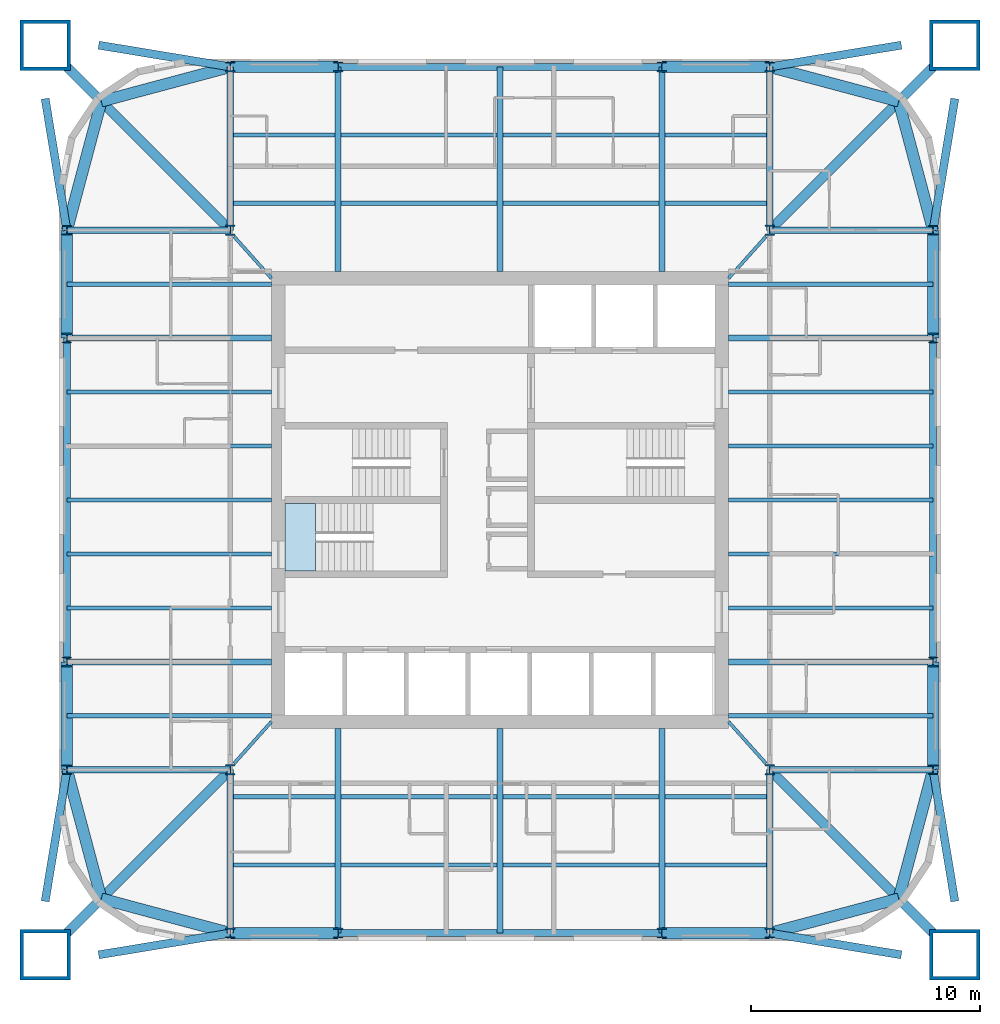
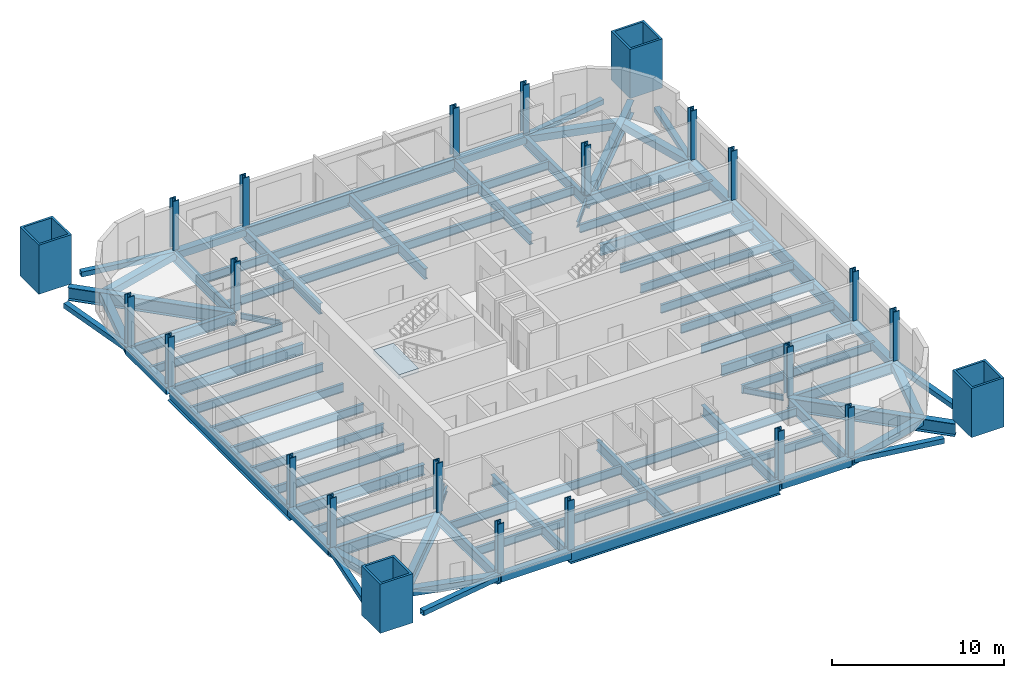
# One storey, part 1 of 8: 84 beams, 24 columns, 1 slab, 1 element without a shape of its own.
"""IFC4 building model written with IfcOpenShell, lengths in metres."""

from ifc_helpers import new_model, si_unit, direction, frame, origin, origin_2d, place, context, subcontext, project, spatial, polyline, hollow_rectangle, i_section, outline, extrude, material, layer, layer_set, material_profile, profile_set, type_object, element, aggregate, save


model = new_model("IFC4")

# Units and contexts
model_context = context("Model", 3, precision=1e-05, world=origin(), true_north=direction((0.0, 1.0)))
body_context = subcontext(model_context, "Body", "Model", "MODEL_VIEW")
ifc_project = project(units=[si_unit("LENGTHUNIT", "METRE"), si_unit("AREAUNIT", "SQUARE_METRE"), si_unit("VOLUMEUNIT", "CUBIC_METRE"), si_unit("PLANEANGLEUNIT", "RADIAN"), si_unit("MASSUNIT", "GRAM", prefix="KILO")], contexts=[model_context])

# Site, building, storey
site_placement = place(None, origin())
site = spatial("IfcSite", under=ifc_project, at=site_placement, CompositionType="ELEMENT")
building_placement = place(site_placement, origin())
building = spatial("IfcBuilding", under=site, at=building_placement, Name="Turquesa Mirador Hotel Tower", CompositionType="ELEMENT")
storey_placement = place(building_placement, frame((0.0, 0.0, 165.300048828125)))
storey = spatial("IfcBuildingStorey", under=building, at=storey_placement, Name="L44", CompositionType="ELEMENT", Elevation=165.300048828125)

# Columns
ifc_material_1 = material(Name="Steel ASTM A992 Grade 50", Category="steel")
ifc_material_profile_1 = material_profile(ifc_material_1, i_section(OverallWidth=0.411376953125, OverallDepth=0.434326171875, WebThickness=0.035888671875, FlangeThickness=0.057373046875, at=origin_2d()), Name="W14X311")
ifc_profile_set_1 = profile_set([ifc_material_profile_1], Name="Steel ASTM A992 Grade 50")
column_type_1 = type_object("IfcColumnType", Name="COLUMN W14X311", PredefinedType="COLUMN", material=ifc_profile_set_1)
for number, where, z_axis, x_axis, name in (
    (1, (36.050048828125, 33.199951171875, 0.0), (0.0, 0.0, 1.0), (1.0, 0.0, 0.0), "COL-L44-P--18.95--11.80"),
    (2, (36.050048828125, 37.919921875, 0.0), (0.0, 0.0, 1.0), (1.0, 0.0, 0.0), "COL-L44-P--18.95--7.08"),
    (3, (36.050048828125, 52.080078125, 0.0), (0.0, 0.0, 1.0), (1.0, 0.0, 0.0), "COL-L44-P--18.95-+7.08"),
    (4, (36.050048828125, 56.800048828125, 0.0), (0.0, 0.0, 1.0), (1.0, 0.0, 0.0), "COL-L44-P--18.95-+11.80"),
    (5, (43.199951171875, 26.050048828125, 0.0), (0.0, 0.0, 1.0), (1.0, 0.0, 0.0), "COL-L44-P--11.80--18.95"),
    (6, (43.199951171875, 63.949951171875, 0.0), (0.0, 0.0, 1.0), (1.0, 0.0, 0.0), "COL-L44-P--11.80-+18.95"),
    (7, (47.919921875, 26.050048828125, 0.0), (0.0, 0.0, 1.0), (1.0, 0.0, 0.0), "COL-L44-P--7.08--18.95"),
    (8, (47.919921875, 63.949951171875, 0.0), (0.0, 0.0, 1.0), (1.0, 0.0, 0.0), "COL-L44-P--7.08-+18.95"),
    (9, (62.080078125, 26.050048828125, 0.0), (0.0, 0.0, 1.0), (1.0, 0.0, 0.0), "COL-L44-P-+7.08--18.95"),
    (10, (62.080078125, 63.949951171875, 0.0), (0.0, 0.0, 1.0), (1.0, 0.0, 0.0), "COL-L44-P-+7.08-+18.95"),
    (11, (66.800048828125, 26.050048828125, 0.0), (0.0, 0.0, 1.0), (1.0, 0.0, 0.0), "COL-L44-P-+11.80--18.95"),
    (12, (66.800048828125, 63.949951171875, 0.0), (0.0, 0.0, 1.0), (1.0, 0.0, 0.0), "COL-L44-P-+11.80-+18.95"),
    (13, (73.949951171875, 33.199951171875, 0.0), (0.0, 0.0, 1.0), (1.0, 0.0, 0.0), "COL-L44-P-+18.95--11.80"),
    (14, (73.949951171875, 37.919921875, 0.0), (0.0, 0.0, 1.0), (1.0, 0.0, 0.0), "COL-L44-P-+18.95--7.08"),
    (15, (73.949951171875, 52.080078125, 0.0), (0.0, 0.0, 1.0), (1.0, 0.0, 0.0), "COL-L44-P-+18.95-+7.08"),
    (16, (73.949951171875, 56.800048828125, 0.0), (0.0, 0.0, 1.0), (1.0, 0.0, 0.0), "COL-L44-P-+18.95-+11.80"),
):
    element("IfcColumn", number, at=place(storey_placement, frame(where, z_axis=z_axis, x_axis=x_axis)), inside=storey, type_object=column_type_1, Name=name, PredefinedType="COLUMN", context=body_context, shape_type="SweptSolid", body=[
        extrude(i_section(OverallWidth=0.411376953125, OverallDepth=0.434326171875, WebThickness=0.035888671875, FlangeThickness=0.057373046875, at=origin_2d()), origin(), (0.0, 0.0, 1.0), 3.5),
    ])
ifc_material_2 = material(Name="Steel ASTM A992 Grade 50", Category="steel")
ifc_material_profile_2 = material_profile(ifc_material_2, i_section(OverallWidth=0.421630859375, OverallDepth=0.46484375, WebThickness=0.044921875, FlangeThickness=0.072509765625, at=origin_2d()), Name="W14X398")
ifc_profile_set_2 = profile_set([ifc_material_profile_2], Name="Steel ASTM A992 Grade 50")
column_type_2 = type_object("IfcColumnType", Name="COLUMN W14X398", PredefinedType="COLUMN", material=ifc_profile_set_2)
for number, where, z_axis, x_axis, name in (
    (17, (43.199951171875, 33.199951171875, 0.0), (0.0, 0.0, 1.0), (1.0, 0.0, 0.0), "COL-L44-K--11.80--11.80"),
    (18, (43.199951171875, 56.800048828125, 0.0), (0.0, 0.0, 1.0), (1.0, 0.0, 0.0), "COL-L44-K--11.80-+11.80"),
    (19, (66.800048828125, 33.199951171875, 0.0), (0.0, 0.0, 1.0), (1.0, 0.0, 0.0), "COL-L44-K-+11.80--11.80"),
    (20, (66.800048828125, 56.800048828125, 0.0), (0.0, 0.0, 1.0), (1.0, 0.0, 0.0), "COL-L44-K-+11.80-+11.80"),
):
    element("IfcColumn", number, at=place(storey_placement, frame(where, z_axis=z_axis, x_axis=x_axis)), inside=storey, type_object=column_type_2, Name=name, PredefinedType="COLUMN", context=body_context, shape_type="SweptSolid", body=[
        extrude(i_section(OverallWidth=0.421630859375, OverallDepth=0.46484375, WebThickness=0.044921875, FlangeThickness=0.072509765625, at=origin_2d()), origin(), (0.0, 0.0, 1.0), 3.5),
    ])
ifc_material_3 = material(Name="Steel ASTM A514 Grade Q", Category="steel")
ifc_material_profile_3 = material_profile(ifc_material_3, hollow_rectangle(XDim=2.199951171875, YDim=2.199951171875, WallThickness=0.14990234375, at=origin_2d()), Name="BOX2200X2200X150")
ifc_profile_set_3 = profile_set([ifc_material_profile_3], Name="Steel ASTM A514 Grade Q")
column_type_3 = type_object("IfcColumnType", Name="MEGA COLUMN BOX2200X2200X150", PredefinedType="COLUMN", material=ifc_profile_set_3)
for number, where, z_axis, x_axis, name in (
    (21, (74.89990234375, 64.89990234375, 0.0), (0.0, 0.0, 1.0), (1.0, 0.0, 0.0), "Mega column M1"),
    (22, (35.10009765625, 64.89990234375, 0.0), (0.0, 0.0, 1.0), (1.0, 0.0, 0.0), "Mega column M2"),
    (23, (35.10009765625, 25.10009765625, 0.0), (0.0, 0.0, 1.0), (1.0, 0.0, 0.0), "Mega column M3"),
    (24, (74.89990234375, 25.10009765625, 0.0), (0.0, 0.0, 1.0), (1.0, 0.0, 0.0), "Mega column M4"),
):
    element("IfcColumn", number, at=place(storey_placement, frame(where, z_axis=z_axis, x_axis=x_axis)), inside=storey, type_object=column_type_3, Name=name, PredefinedType="COLUMN", context=body_context, shape_type="SweptSolid", body=[
        extrude(hollow_rectangle(XDim=2.199951171875, YDim=2.199951171875, WallThickness=0.14990234375, at=origin_2d()), origin(), (0.0, 0.0, 1.0), 3.5),
    ])

# Beams
ifc_material_4 = material(Name="Steel ASTM A572 Grade 50", Category="steel")
ifc_material_profile_4 = material_profile(ifc_material_4, hollow_rectangle(XDim=0.5, YDim=0.5, WallThickness=0.01611328125, at=origin_2d()), Name="BOX500X500X16")
ifc_profile_set_4 = profile_set([ifc_material_profile_4], Name="Steel ASTM A572 Grade 50")
beam_type_1 = type_object("IfcBeamType", Name="BEAM BOX500X500X16", PredefinedType="BEAM", material=ifc_profile_set_4)
for number, where, z_axis, x_axis, name in (
    (25, (43.199951171875, 63.949951171875, -0.420166015625), (1.0, 0.0, 0.0), (0.0, 1.0, 0.0), "EB-L44-N-L"),
    (26, (62.080078125, 63.949951171875, -0.420166015625), (1.0, 0.0, 0.0), (0.0, 1.0, 0.0), "EB-L44-N-R"),
    (27, (43.199951171875, 26.050048828125, -0.420166015625), (1.0, 0.0, 0.0), (0.0, 1.0, 0.0), "EB-L44-S-L"),
    (28, (62.080078125, 26.050048828125, -0.420166015625), (1.0, 0.0, 0.0), (0.0, 1.0, 0.0), "EB-L44-S-R"),
    (29, (73.949951171875, 33.199951171875, -0.420166015625), (0.0, 1.0, 0.0), (-1.0, 0.0, 0.0), "EB-L44-E-L"),
    (30, (73.949951171875, 52.080078125, -0.420166015625), (0.0, 1.0, 0.0), (-1.0, 0.0, 0.0), "EB-L44-E-R"),
    (31, (36.050048828125, 33.199951171875, -0.420166015625), (0.0, 1.0, 0.0), (-1.0, 0.0, 0.0), "EB-L44-W-L"),
    (32, (36.050048828125, 52.080078125, -0.420166015625), (0.0, 1.0, 0.0), (-1.0, 0.0, 0.0), "EB-L44-W-R"),
):
    element("IfcBeam", number, at=place(storey_placement, frame(where, z_axis=z_axis, x_axis=x_axis)), inside=storey, type_object=beam_type_1, Name=name, PredefinedType="BEAM", context=body_context, shape_type="SweptSolid", body=[
        extrude(hollow_rectangle(XDim=0.5, YDim=0.5, WallThickness=0.01611328125, at=origin_2d()), origin(), (0.0, 0.0, 1.0), 4.719970703125),
    ])
for number, where, z_axis, x_axis, name in (
    (33, (73.949951171875, 56.800048828125, -0.420166015625), (-0.258281892145, 0.966069595935, 0.0), (-0.966069595935, -0.258281892145, 0.0), "KE-L44-1-0"),
    (34, (72.441650390625, 62.441650390625, -0.420166015625), (-0.966069595935, 0.258281892145, 0.0), (-0.258281892145, -0.966069595935, 0.0), "KE-L44-1-1"),
    (35, (36.050048828125, 56.800048828125, -0.420166015625), (0.258281892145, 0.966069595935, 0.0), (-0.966069595935, 0.258281892145, 0.0), "KE-L44-2-0"),
    (36, (37.558349609375, 62.441650390625, -0.420166015625), (0.966069595935, 0.258281892145, 0.0), (-0.258281892145, 0.966069595935, 0.0), "KE-L44-2-1"),
    (37, (36.050048828125, 33.199951171875, -0.420166015625), (0.258281892145, -0.966069595935, 0.0), (0.966069595935, 0.258281892145, 0.0), "KE-L44-3-0"),
    (38, (37.558349609375, 27.558349609375, -0.420166015625), (0.966069595935, -0.258281892145, 0.0), (0.258281892145, 0.966069595935, 0.0), "KE-L44-3-1"),
    (39, (73.949951171875, 33.199951171875, -0.420166015625), (-0.258281892145, -0.966069595935, 0.0), (0.966069595935, -0.258281892145, 0.0), "KE-L44-4-0"),
    (40, (72.441650390625, 27.558349609375, -0.420166015625), (-0.966069595935, -0.258281892145, 0.0), (0.258281892145, -0.966069595935, 0.0), "KE-L44-4-1"),
):
    element("IfcBeam", number, at=place(storey_placement, frame(where, z_axis=z_axis, x_axis=x_axis)), inside=storey, type_object=beam_type_1, Name=name, PredefinedType="BEAM", context=body_context, shape_type="SweptSolid", body=[
        extrude(hollow_rectangle(XDim=0.5, YDim=0.5, WallThickness=0.01611328125, at=origin_2d()), origin(), (0.0, 0.0, 1.0), 5.83984375),
    ])
ifc_material_5 = material(Name="Steel ASTM A992 Grade 50", Category="steel")
ifc_material_profile_5 = material_profile(ifc_material_5, i_section(OverallWidth=0.140380859375, OverallDepth=0.40380859375, WebThickness=0.007080078125, FlangeThickness=0.01123046875, at=origin_2d()), Name="W16X31")
ifc_profile_set_5 = profile_set([ifc_material_profile_5], Name="Steel ASTM A992 Grade 50")
beam_type_2 = type_object("IfcBeamType", Name="BEAM W16X31", PredefinedType="BEAM", material=ifc_profile_set_5)
for number, where, z_axis, x_axis, name in (
    (41, (66.634765625, 56.527099609375, -0.3720703125), (-0.666783216266, -0.745251730964, 0.0), (0.745251730964, -0.666783216266, 0.0), "KT-L44-1"),
    (42, (43.365234375, 56.527099609375, -0.3720703125), (0.666783216266, -0.745251730964, 0.0), (0.745251730964, 0.666783216266, 0.0), "KT-L44-2"),
    (43, (43.365234375, 33.472900390625, -0.3720703125), (0.666783216266, 0.745251730964, 0.0), (-0.745251730964, 0.666783216266, 0.0), "KT-L44-3"),
    (44, (66.634765625, 33.472900390625, -0.3720703125), (-0.666783216266, 0.745251730964, 0.0), (-0.745251730964, -0.666783216266, 0.0), "KT-L44-4"),
):
    element("IfcBeam", number, at=place(storey_placement, frame(where, z_axis=z_axis, x_axis=x_axis)), inside=storey, type_object=beam_type_2, Name=name, PredefinedType="BEAM", context=body_context, shape_type="SweptSolid", body=[
        extrude(i_section(OverallWidth=0.140380859375, OverallDepth=0.40380859375, WebThickness=0.007080078125, FlangeThickness=0.01123046875, at=origin_2d()), origin(), (0.0, 0.0, 1.0), 2.45166015625),
    ])
ifc_material_6 = material(Name="Steel ASTM A992 Grade 50", Category="steel")
ifc_material_profile_6 = material_profile(ifc_material_6, i_section(OverallWidth=0.177978515625, OverallDepth=0.599365234375, WebThickness=0.010009765625, FlangeThickness=0.012939453125, at=origin_2d()), Name="W24X55")
ifc_profile_set_6 = profile_set([ifc_material_profile_6], Name="Steel ASTM A992 Grade 50")
beam_type_3 = type_object("IfcBeamType", Name="BEAM W24X55", PredefinedType="BEAM", material=ifc_profile_set_6)
beam_1_placement = place(storey_placement, frame((43.333251953125, 57.98291015625, -0.4697265625), z_axis=(1.0, 0.0, 0.0), x_axis=(0.0, 1.0, 0.0)))
element("IfcBeam", 45, at=beam_1_placement, inside=storey, type_object=beam_type_3, Name="IB-L44-N-1-0", PredefinedType="BEAM", context=body_context, shape_type="SweptSolid", body=[
    extrude(i_section(OverallWidth=0.177978515625, OverallDepth=0.599365234375, WebThickness=0.010009765625, FlangeThickness=0.012939453125, at=origin_2d()), origin(), (0.0, 0.0, 1.0), 4.453369140625),
])
for number, where, z_axis, x_axis, name in (
    (46, (48.053466796875, 57.98291015625, -0.4697265625), (1.0, 0.0, 0.0), (0.0, 1.0, 0.0), "IB-L44-N-1-1"),
    (47, (55.13330078125, 57.98291015625, -0.4697265625), (1.0, 0.0, 0.0), (0.0, 1.0, 0.0), "IB-L44-N-1-2"),
):
    element("IfcBeam", number, at=place(storey_placement, frame(where, z_axis=z_axis, x_axis=x_axis)), inside=storey, type_object=beam_type_3, Name=name, PredefinedType="BEAM", context=body_context, shape_type="SweptSolid", body=[
        extrude(i_section(OverallWidth=0.177978515625, OverallDepth=0.599365234375, WebThickness=0.010009765625, FlangeThickness=0.012939453125, at=origin_2d()), origin(), (0.0, 0.0, 1.0), 6.813232421875),
    ])
for number, where, z_axis, x_axis, name in (
    (48, (62.21337890625, 57.98291015625, -0.4697265625), (1.0, 0.0, 0.0), (0.0, 1.0, 0.0), "IB-L44-N-1-3"),
    (49, (43.333251953125, 60.967041015625, -0.4697265625), (1.0, 0.0, 0.0), (0.0, 1.0, 0.0), "IB-L44-N-2-0"),
):
    element("IfcBeam", number, at=place(storey_placement, frame(where, z_axis=z_axis, x_axis=x_axis)), inside=storey, type_object=beam_type_3, Name=name, PredefinedType="BEAM", context=body_context, shape_type="SweptSolid", body=[
        extrude(i_section(OverallWidth=0.177978515625, OverallDepth=0.599365234375, WebThickness=0.010009765625, FlangeThickness=0.012939453125, at=origin_2d()), origin(), (0.0, 0.0, 1.0), 4.453369140625),
    ])
for number, where, z_axis, x_axis, name in (
    (50, (48.053466796875, 60.967041015625, -0.4697265625), (1.0, 0.0, 0.0), (0.0, 1.0, 0.0), "IB-L44-N-2-1"),
    (51, (55.13330078125, 60.967041015625, -0.4697265625), (1.0, 0.0, 0.0), (0.0, 1.0, 0.0), "IB-L44-N-2-2"),
):
    element("IfcBeam", number, at=place(storey_placement, frame(where, z_axis=z_axis, x_axis=x_axis)), inside=storey, type_object=beam_type_3, Name=name, PredefinedType="BEAM", context=body_context, shape_type="SweptSolid", body=[
        extrude(i_section(OverallWidth=0.177978515625, OverallDepth=0.599365234375, WebThickness=0.010009765625, FlangeThickness=0.012939453125, at=origin_2d()), origin(), (0.0, 0.0, 1.0), 6.813232421875),
    ])
for number, where, z_axis, x_axis, name in (
    (52, (62.21337890625, 60.967041015625, -0.4697265625), (1.0, 0.0, 0.0), (0.0, 1.0, 0.0), "IB-L44-N-2-3"),
    (53, (43.333251953125, 32.01708984375, -0.4697265625), (1.0, 0.0, 0.0), (0.0, 1.0, 0.0), "IB-L44-S-1-0"),
):
    element("IfcBeam", number, at=place(storey_placement, frame(where, z_axis=z_axis, x_axis=x_axis)), inside=storey, type_object=beam_type_3, Name=name, PredefinedType="BEAM", context=body_context, shape_type="SweptSolid", body=[
        extrude(i_section(OverallWidth=0.177978515625, OverallDepth=0.599365234375, WebThickness=0.010009765625, FlangeThickness=0.012939453125, at=origin_2d()), origin(), (0.0, 0.0, 1.0), 4.453369140625),
    ])
for number, where, z_axis, x_axis, name in (
    (54, (48.053466796875, 32.01708984375, -0.4697265625), (1.0, 0.0, 0.0), (0.0, 1.0, 0.0), "IB-L44-S-1-1"),
    (55, (55.13330078125, 32.01708984375, -0.4697265625), (1.0, 0.0, 0.0), (0.0, 1.0, 0.0), "IB-L44-S-1-2"),
):
    element("IfcBeam", number, at=place(storey_placement, frame(where, z_axis=z_axis, x_axis=x_axis)), inside=storey, type_object=beam_type_3, Name=name, PredefinedType="BEAM", context=body_context, shape_type="SweptSolid", body=[
        extrude(i_section(OverallWidth=0.177978515625, OverallDepth=0.599365234375, WebThickness=0.010009765625, FlangeThickness=0.012939453125, at=origin_2d()), origin(), (0.0, 0.0, 1.0), 6.813232421875),
    ])
for number, where, z_axis, x_axis, name in (
    (56, (62.21337890625, 32.01708984375, -0.4697265625), (1.0, 0.0, 0.0), (0.0, 1.0, 0.0), "IB-L44-S-1-3"),
    (57, (43.333251953125, 29.032958984375, -0.4697265625), (1.0, 0.0, 0.0), (0.0, 1.0, 0.0), "IB-L44-S-2-0"),
):
    element("IfcBeam", number, at=place(storey_placement, frame(where, z_axis=z_axis, x_axis=x_axis)), inside=storey, type_object=beam_type_3, Name=name, PredefinedType="BEAM", context=body_context, shape_type="SweptSolid", body=[
        extrude(i_section(OverallWidth=0.177978515625, OverallDepth=0.599365234375, WebThickness=0.010009765625, FlangeThickness=0.012939453125, at=origin_2d()), origin(), (0.0, 0.0, 1.0), 4.453369140625),
    ])
for number, where, z_axis, x_axis, name in (
    (58, (48.053466796875, 29.032958984375, -0.4697265625), (1.0, 0.0, 0.0), (0.0, 1.0, 0.0), "IB-L44-S-2-1"),
    (59, (55.13330078125, 29.032958984375, -0.4697265625), (1.0, 0.0, 0.0), (0.0, 1.0, 0.0), "IB-L44-S-2-2"),
):
    element("IfcBeam", number, at=place(storey_placement, frame(where, z_axis=z_axis, x_axis=x_axis)), inside=storey, type_object=beam_type_3, Name=name, PredefinedType="BEAM", context=body_context, shape_type="SweptSolid", body=[
        extrude(i_section(OverallWidth=0.177978515625, OverallDepth=0.599365234375, WebThickness=0.010009765625, FlangeThickness=0.012939453125, at=origin_2d()), origin(), (0.0, 0.0, 1.0), 6.813232421875),
    ])
beam_2_placement = place(storey_placement, frame((62.21337890625, 29.032958984375, -0.4697265625), z_axis=(1.0, 0.0, 0.0), x_axis=(0.0, 1.0, 0.0)))
element("IfcBeam", 60, at=beam_2_placement, inside=storey, type_object=beam_type_3, Name="IB-L44-S-2-3", PredefinedType="BEAM", context=body_context, shape_type="SweptSolid", body=[
    extrude(i_section(OverallWidth=0.177978515625, OverallDepth=0.599365234375, WebThickness=0.010009765625, FlangeThickness=0.012939453125, at=origin_2d()), origin(), (0.0, 0.0, 1.0), 4.453369140625),
])
for number, where, z_axis, x_axis, name in (
    (61, (73.949951171875, 35.56005859375, -0.4697265625), (-1.0, 0.0, 0.0), (0.0, -1.0, 0.0), "BM-L44-E--9.44"),
    (62, (73.949951171875, 40.280029296875, -0.4697265625), (-1.0, 0.0, 0.0), (0.0, -1.0, 0.0), "BM-L44-E--4.72"),
    (63, (73.949951171875, 42.639892578125, -0.4697265625), (-1.0, 0.0, 0.0), (0.0, -1.0, 0.0), "BM-L44-E--2.36"),
    (64, (73.949951171875, 45.0, -0.4697265625), (-1.0, 0.0, 0.0), (0.0, -1.0, 0.0), "BM-L44-E-+0.00"),
    (65, (73.949951171875, 47.360107421875, -0.4697265625), (-1.0, 0.0, 0.0), (0.0, -1.0, 0.0), "BM-L44-E-+2.36"),
    (66, (73.949951171875, 49.719970703125, -0.4697265625), (-1.0, 0.0, 0.0), (0.0, -1.0, 0.0), "BM-L44-E-+4.72"),
    (67, (73.949951171875, 54.43994140625, -0.4697265625), (-1.0, 0.0, 0.0), (0.0, -1.0, 0.0), "BM-L44-E-+9.44"),
    (68, (36.050048828125, 35.56005859375, -0.4697265625), (1.0, 0.0, 0.0), (0.0, 1.0, 0.0), "BM-L44-W--9.44"),
    (69, (36.050048828125, 40.280029296875, -0.4697265625), (1.0, 0.0, 0.0), (0.0, 1.0, 0.0), "BM-L44-W--4.72"),
    (70, (36.050048828125, 42.639892578125, -0.4697265625), (1.0, 0.0, 0.0), (0.0, 1.0, 0.0), "BM-L44-W--2.36"),
    (71, (36.050048828125, 45.0, -0.4697265625), (1.0, 0.0, 0.0), (0.0, 1.0, 0.0), "BM-L44-W-+0.00"),
    (72, (36.050048828125, 47.360107421875, -0.4697265625), (1.0, 0.0, 0.0), (0.0, 1.0, 0.0), "BM-L44-W-+2.36"),
    (73, (36.050048828125, 49.719970703125, -0.4697265625), (1.0, 0.0, 0.0), (0.0, 1.0, 0.0), "BM-L44-W-+4.72"),
    (74, (36.050048828125, 54.43994140625, -0.4697265625), (1.0, 0.0, 0.0), (0.0, 1.0, 0.0), "BM-L44-W-+9.44"),
):
    element("IfcBeam", number, at=place(storey_placement, frame(where, z_axis=z_axis, x_axis=x_axis)), inside=storey, type_object=beam_type_3, Name=name, PredefinedType="BEAM", context=body_context, shape_type="SweptSolid", body=[
        extrude(i_section(OverallWidth=0.177978515625, OverallDepth=0.599365234375, WebThickness=0.010009765625, FlangeThickness=0.012939453125, at=origin_2d()), origin(), (0.0, 0.0, 1.0), 8.949951171875),
    ])
ifc_material_7 = material(Name="Steel ASTM A992 Grade 50", Category="steel")
ifc_material_profile_7 = material_profile(ifc_material_7, i_section(OverallWidth=0.2666015625, OverallDepth=0.7568359375, WebThickness=0.013916015625, FlangeThickness=0.019287109375, at=origin_2d()), Name="W30X108")
ifc_profile_set_7 = profile_set([ifc_material_profile_7], Name="Steel ASTM A992 Grade 50")
beam_type_4 = type_object("IfcBeamType", Name="BEAM W30X108", PredefinedType="BEAM", material=ifc_profile_set_7)
for number, where, z_axis, x_axis, name in (
    (75, (47.919921875, 63.949951171875, -0.548583984375), (0.0, -1.0, 0.0), (1.0, 0.0, 0.0), "GD-L44-N--7.08"),
    (76, (62.080078125, 63.949951171875, -0.548583984375), (0.0, -1.0, 0.0), (1.0, 0.0, 0.0), "GD-L44-N-+7.08"),
    (77, (55.0, 63.949951171875, -0.548583984375), (0.0, -1.0, 0.0), (1.0, 0.0, 0.0), "GD-L44-N-+0.00"),
):
    element("IfcBeam", number, at=place(storey_placement, frame(where, z_axis=z_axis, x_axis=x_axis)), inside=storey, type_object=beam_type_4, Name=name, PredefinedType="BEAM", context=body_context, shape_type="SweptSolid", body=[
        extrude(i_section(OverallWidth=0.2666015625, OverallDepth=0.7568359375, WebThickness=0.013916015625, FlangeThickness=0.019287109375, at=origin_2d()), origin(), (0.0, 0.0, 1.0), 8.949951171875),
    ])
for number, where, z_axis, x_axis, name in (
    (78, (43.199951171875, 63.949951171875, -0.548583984375), (0.0, -1.0, 0.0), (1.0, 0.0, 0.0), "GK-L44-N--11.80"),
    (79, (66.800048828125, 63.949951171875, -0.548583984375), (0.0, -1.0, 0.0), (1.0, 0.0, 0.0), "GK-L44-N-+11.80"),
):
    element("IfcBeam", number, at=place(storey_placement, frame(where, z_axis=z_axis, x_axis=x_axis)), inside=storey, type_object=beam_type_4, Name=name, PredefinedType="BEAM", context=body_context, shape_type="SweptSolid", body=[
        extrude(i_section(OverallWidth=0.2666015625, OverallDepth=0.7568359375, WebThickness=0.013916015625, FlangeThickness=0.019287109375, at=origin_2d()), origin(), (0.0, 0.0, 1.0), 7.14990234375),
    ])
for number, where, z_axis, x_axis, name in (
    (80, (47.919921875, 26.050048828125, -0.548583984375), (0.0, 1.0, 0.0), (-1.0, 0.0, 0.0), "GD-L44-S--7.08"),
    (81, (62.080078125, 26.050048828125, -0.548583984375), (0.0, 1.0, 0.0), (-1.0, 0.0, 0.0), "GD-L44-S-+7.08"),
    (82, (55.0, 26.050048828125, -0.548583984375), (0.0, 1.0, 0.0), (-1.0, 0.0, 0.0), "GD-L44-S-+0.00"),
):
    element("IfcBeam", number, at=place(storey_placement, frame(where, z_axis=z_axis, x_axis=x_axis)), inside=storey, type_object=beam_type_4, Name=name, PredefinedType="BEAM", context=body_context, shape_type="SweptSolid", body=[
        extrude(i_section(OverallWidth=0.2666015625, OverallDepth=0.7568359375, WebThickness=0.013916015625, FlangeThickness=0.019287109375, at=origin_2d()), origin(), (0.0, 0.0, 1.0), 8.949951171875),
    ])
for number, where, z_axis, x_axis, name in (
    (83, (43.199951171875, 26.050048828125, -0.548583984375), (0.0, 1.0, 0.0), (-1.0, 0.0, 0.0), "GK-L44-S--11.80"),
    (84, (66.800048828125, 26.050048828125, -0.548583984375), (0.0, 1.0, 0.0), (-1.0, 0.0, 0.0), "GK-L44-S-+11.80"),
):
    element("IfcBeam", number, at=place(storey_placement, frame(where, z_axis=z_axis, x_axis=x_axis)), inside=storey, type_object=beam_type_4, Name=name, PredefinedType="BEAM", context=body_context, shape_type="SweptSolid", body=[
        extrude(i_section(OverallWidth=0.2666015625, OverallDepth=0.7568359375, WebThickness=0.013916015625, FlangeThickness=0.019287109375, at=origin_2d()), origin(), (0.0, 0.0, 1.0), 7.14990234375),
    ])
for number, where, z_axis, x_axis, name in (
    (85, (73.949951171875, 37.919921875, -0.548583984375), (-1.0, 0.0, 0.0), (0.0, -1.0, 0.0), "GD-L44-E--7.08"),
    (86, (73.949951171875, 52.080078125, -0.548583984375), (-1.0, 0.0, 0.0), (0.0, -1.0, 0.0), "GD-L44-E-+7.08"),
):
    element("IfcBeam", number, at=place(storey_placement, frame(where, z_axis=z_axis, x_axis=x_axis)), inside=storey, type_object=beam_type_4, Name=name, PredefinedType="BEAM", context=body_context, shape_type="SweptSolid", body=[
        extrude(i_section(OverallWidth=0.2666015625, OverallDepth=0.7568359375, WebThickness=0.013916015625, FlangeThickness=0.019287109375, at=origin_2d()), origin(), (0.0, 0.0, 1.0), 8.949951171875),
    ])
for number, where, z_axis, x_axis, name in (
    (87, (73.949951171875, 33.199951171875, -0.548583984375), (-1.0, 0.0, 0.0), (0.0, -1.0, 0.0), "GK-L44-E--11.80"),
    (88, (73.949951171875, 56.800048828125, -0.548583984375), (-1.0, 0.0, 0.0), (0.0, -1.0, 0.0), "GK-L44-E-+11.80"),
):
    element("IfcBeam", number, at=place(storey_placement, frame(where, z_axis=z_axis, x_axis=x_axis)), inside=storey, type_object=beam_type_4, Name=name, PredefinedType="BEAM", context=body_context, shape_type="SweptSolid", body=[
        extrude(i_section(OverallWidth=0.2666015625, OverallDepth=0.7568359375, WebThickness=0.013916015625, FlangeThickness=0.019287109375, at=origin_2d()), origin(), (0.0, 0.0, 1.0), 7.14990234375),
    ])
for number, where, z_axis, x_axis, name in (
    (89, (36.050048828125, 37.919921875, -0.548583984375), (1.0, 0.0, 0.0), (0.0, 1.0, 0.0), "GD-L44-W--7.08"),
    (90, (36.050048828125, 52.080078125, -0.548583984375), (1.0, 0.0, 0.0), (0.0, 1.0, 0.0), "GD-L44-W-+7.08"),
):
    element("IfcBeam", number, at=place(storey_placement, frame(where, z_axis=z_axis, x_axis=x_axis)), inside=storey, type_object=beam_type_4, Name=name, PredefinedType="BEAM", context=body_context, shape_type="SweptSolid", body=[
        extrude(i_section(OverallWidth=0.2666015625, OverallDepth=0.7568359375, WebThickness=0.013916015625, FlangeThickness=0.019287109375, at=origin_2d()), origin(), (0.0, 0.0, 1.0), 8.949951171875),
    ])
for number, where, z_axis, x_axis, name in (
    (91, (36.050048828125, 33.199951171875, -0.548583984375), (1.0, 0.0, 0.0), (0.0, 1.0, 0.0), "GK-L44-W--11.80"),
    (92, (36.050048828125, 56.800048828125, -0.548583984375), (1.0, 0.0, 0.0), (0.0, 1.0, 0.0), "GK-L44-W-+11.80"),
):
    element("IfcBeam", number, at=place(storey_placement, frame(where, z_axis=z_axis, x_axis=x_axis)), inside=storey, type_object=beam_type_4, Name=name, PredefinedType="BEAM", context=body_context, shape_type="SweptSolid", body=[
        extrude(i_section(OverallWidth=0.2666015625, OverallDepth=0.7568359375, WebThickness=0.013916015625, FlangeThickness=0.019287109375, at=origin_2d()), origin(), (0.0, 0.0, 1.0), 7.14990234375),
    ])
ifc_material_8 = material(Name="Steel ASTM A992 Grade 50", Category="steel")
ifc_material_profile_8 = material_profile(ifc_material_8, i_section(OverallWidth=0.3046875, OverallDepth=0.911865234375, WebThickness=0.015869140625, FlangeThickness=0.02392578125, at=origin_2d()), Name="W36X150")
ifc_profile_set_8 = profile_set([ifc_material_profile_8], Name="Steel ASTM A992 Grade 50")
beam_type_5 = type_object("IfcBeamType", Name="BEAM W36X150", PredefinedType="BEAM", material=ifc_profile_set_8)
for number, where, z_axis, x_axis, name in (
    (93, (47.919921875, 63.949951171875, -0.6259765625), (1.0, 0.0, 0.0), (0.0, 1.0, 0.0), "EB-L44-N-C"),
    (94, (47.919921875, 26.050048828125, -0.6259765625), (1.0, 0.0, 0.0), (0.0, 1.0, 0.0), "EB-L44-S-C"),
    (95, (73.949951171875, 37.919921875, -0.6259765625), (0.0, 1.0, 0.0), (-1.0, 0.0, 0.0), "EB-L44-E-C"),
    (96, (36.050048828125, 37.919921875, -0.6259765625), (0.0, 1.0, 0.0), (-1.0, 0.0, 0.0), "EB-L44-W-C"),
):
    element("IfcBeam", number, at=place(storey_placement, frame(where, z_axis=z_axis, x_axis=x_axis)), inside=storey, type_object=beam_type_5, Name=name, PredefinedType="BEAM", context=body_context, shape_type="SweptSolid", body=[
        extrude(i_section(OverallWidth=0.3046875, OverallDepth=0.911865234375, WebThickness=0.015869140625, FlangeThickness=0.02392578125, at=origin_2d()), origin(), (0.0, 0.0, 1.0), 14.16015625),
    ])
ifc_material_9 = material(Name="Steel ASTM A992 Grade 50", Category="steel")
ifc_material_profile_9 = material_profile(ifc_material_9, i_section(OverallWidth=0.419189453125, OverallDepth=0.927001953125, WebThickness=0.019287109375, FlangeThickness=0.031982421875, at=origin_2d()), Name="W36X231")
ifc_profile_set_9 = profile_set([ifc_material_profile_9], Name="Steel ASTM A992 Grade 50")
beam_type_6 = type_object("IfcBeamType", Name="BEAM W36X231", PredefinedType="BEAM", material=ifc_profile_set_9)
for number, where, z_axis, x_axis, name in (
    (97, (66.800048828125, 56.800048828125, -0.633544921875), (0.707106781187, 0.707106781187, 0.0), (-0.707106781187, 0.707106781187, 0.0), "KD-L44-1"),
    (98, (43.199951171875, 56.800048828125, -0.633544921875), (-0.707106781187, 0.707106781187, 0.0), (-0.707106781187, -0.707106781187, 0.0), "KD-L44-2"),
    (99, (43.199951171875, 33.199951171875, -0.633544921875), (-0.707106781187, -0.707106781187, 0.0), (0.707106781187, -0.707106781187, 0.0), "KD-L44-3"),
    (100, (66.800048828125, 33.199951171875, -0.633544921875), (0.707106781187, -0.707106781187, 0.0), (0.707106781187, 0.707106781187, 0.0), "KD-L44-4"),
):
    element("IfcBeam", number, at=place(storey_placement, frame(where, z_axis=z_axis, x_axis=x_axis)), inside=storey, type_object=beam_type_6, Name=name, PredefinedType="BEAM", context=body_context, shape_type="SweptSolid", body=[
        extrude(i_section(OverallWidth=0.419189453125, OverallDepth=0.927001953125, WebThickness=0.019287109375, FlangeThickness=0.031982421875, at=origin_2d()), origin(), (0.0, 0.0, 1.0), 10.080322265625),
    ])
ifc_material_10 = material(Name="Steel ASTM A500 Grade C", Category="steel")
ifc_material_profile_10 = material_profile(ifc_material_10, hollow_rectangle(XDim=0.355712890625, YDim=0.355712890625, WallThickness=0.0146484375, at=origin_2d()), Name="HSS14X14X5/8")
ifc_profile_set_10 = profile_set([ifc_material_profile_10], Name="Steel ASTM A500 Grade C")
beam_type_7 = type_object("IfcBeamType", Name="BRACE STRUT HSS14X14X5/8", PredefinedType="BEAM", material=ifc_profile_set_10)
for number, where, z_axis, x_axis, name in (
    (101, (37.441162109375, 64.89990234375, -0.347900390625), (0.986666143261, -0.162757247898, 0.0), (0.162757247898, 0.986666143261, 0.0), "Brace strut"),
    (102, (72.558837890625, 64.89990234375, -0.347900390625), (-0.986666143261, -0.162757247898, 0.0), (0.162757247898, -0.986666143261, 0.0), "Brace strut"),
    (103, (37.441162109375, 25.10009765625, -0.347900390625), (0.986666143261, 0.162757247898, 0.0), (-0.162757247898, 0.986666143261, 0.0), "Brace strut"),
    (104, (72.558837890625, 25.10009765625, -0.347900390625), (-0.986666143261, 0.162757247898, 0.0), (-0.162757247898, -0.986666143261, 0.0), "Brace strut"),
    (105, (74.89990234375, 27.441162109375, -0.347900390625), (-0.162757247898, 0.986666143261, 0.0), (-0.986666143261, -0.162757247898, 0.0), "Brace strut"),
    (106, (74.89990234375, 62.558837890625, -0.347900390625), (-0.162757247898, -0.986666143261, 0.0), (0.986666143261, -0.162757247898, 0.0), "Brace strut"),
    (107, (35.10009765625, 27.441162109375, -0.347900390625), (0.162757247898, 0.986666143261, 0.0), (-0.986666143261, 0.162757247898, 0.0), "Brace strut"),
    (108, (35.10009765625, 62.558837890625, -0.347900390625), (0.162757247898, -0.986666143261, 0.0), (0.986666143261, 0.162757247898, 0.0), "Brace strut"),
):
    element("IfcBeam", number, at=place(storey_placement, frame(where, z_axis=z_axis, x_axis=x_axis)), inside=storey, type_object=beam_type_7, Name=name, PredefinedType="BEAM", context=body_context, shape_type="SweptSolid", body=[
        extrude(hollow_rectangle(XDim=0.355712890625, YDim=0.355712890625, WallThickness=0.0146484375, at=origin_2d()), origin(), (0.0, 0.0, 1.0), 5.836669921875),
    ])

# Stair, slab
ifc_material_11 = material(Name="Concrete C35/45", Category="concrete")
stair_type = type_object("IfcStairType", Name="ESCAPE STAIR CORE", PredefinedType="HALF_TURN_STAIR", material=ifc_material_11)
stair_placement = place(storey_placement, origin())
stair = element("IfcStair", 109, at=stair_placement, inside=storey, type_object=stair_type, Name="Stair ST2 L44 to L45", PredefinedType="HALF_TURN_STAIR")
ifc_material_12 = material(Name="Concrete C35/45", Category="concrete")
ifc_layer = layer(ifc_material_12, 0.300048828125)
ifc_layer_set = layer_set([ifc_layer], Name="STAIR LANDING 300")
slab_type = type_object("IfcSlabType", Name="STAIR LANDING 300", PredefinedType="LANDING", material=ifc_layer_set)
slab_placement = place(storey_placement, frame((0.0, 0.0, 3.199951171875)))
slab = element("IfcSlab", 110, at=slab_placement, type_object=slab_type, Name="ST2 landing 2", PredefinedType="LANDING", context=body_context, shape_type="SweptSolid", body=[
    extrude(outline(polyline([(46.929931640625, 44.85009765625), (45.60009765625, 44.85009765625), (45.60009765625, 41.89990234375), (46.929931640625, 41.89990234375), (46.929931640625, 44.85009765625)])), origin(), (0.0, 0.0, 1.0), 0.300048828125),
])
aggregate(stair, [slab])

save(model, "model.ifc")
